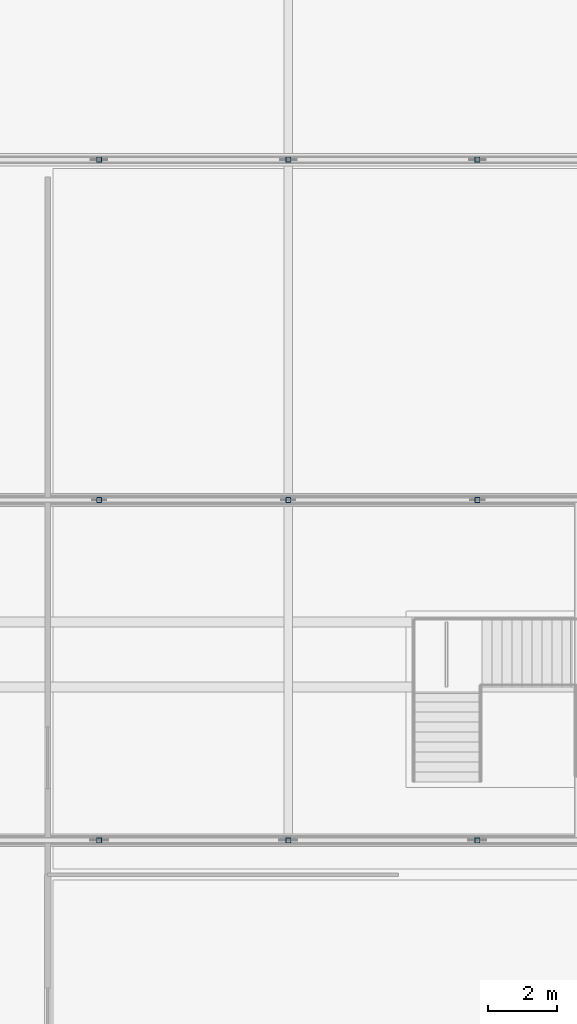
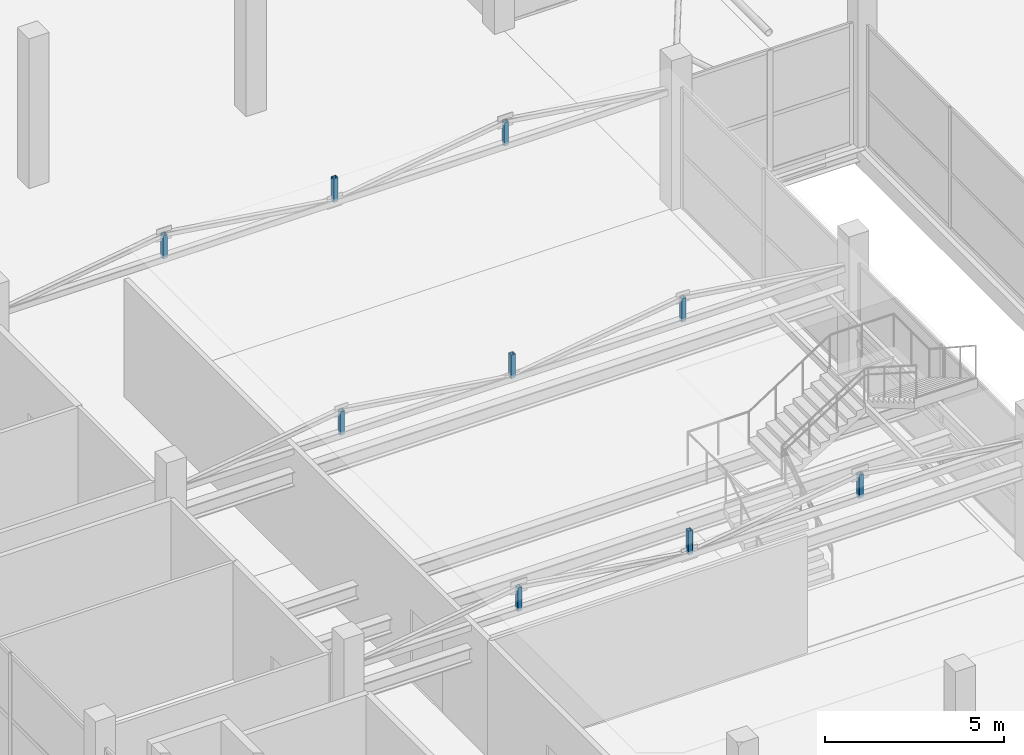
# One storey, part 47 of 66: 9 members.
"""IFC4 building model written with IfcOpenShell, lengths in metres."""

from ifc_helpers import new_model, si_unit, direction, frame, origin, origin_2d, place, context, subcontext, project, spatial, hollow_rectangle, extrude, material, material_profile, profile_set, type_object, element, save


model = new_model("IFC4")

# Units and contexts
model_context = context("Model", 3, precision=1e-05, world=origin(), true_north=direction((0.0, 1.0)))
body_context = subcontext(model_context, "Body", "Model", "MODEL_VIEW")
ifc_project = project(units=[si_unit("LENGTHUNIT", "METRE"), si_unit("AREAUNIT", "SQUARE_METRE"), si_unit("VOLUMEUNIT", "CUBIC_METRE"), si_unit("PLANEANGLEUNIT", "RADIAN"), si_unit("MASSUNIT", "GRAM", prefix="KILO")], contexts=[model_context])

# Site, building, storey
site_placement = place(None, origin())
site = spatial("IfcSite", under=ifc_project, at=site_placement, CompositionType="ELEMENT")
building_placement = place(site_placement, origin())
building = spatial("IfcBuilding", under=site, at=building_placement, Name="Sillaruma Civic Art Gallery", CompositionType="ELEMENT")
storey_placement = place(building_placement, frame((0.0, 0.0, 57.1201171875)))
storey = spatial("IfcBuildingStorey", under=building, at=storey_placement, Name="L11", CompositionType="ELEMENT", Elevation=57.1201171875)

# Members
ifc_material = material(Name="Structural Steel ASTM A500 Gr.C", Category="steel")
ifc_material_profile = material_profile(ifc_material, hollow_rectangle(XDim=0.14990234375, YDim=0.14990234375, WallThickness=0.010009765625, InnerFilletRadius=0.010009765625, OuterFilletRadius=0.02001953125, at=origin_2d()), Name="HSS150x150x10")
ifc_profile_set = profile_set([ifc_material_profile], Name="Structural Steel ASTM A500 Gr.C")
member_type = type_object("IfcMemberType", Name="MEM-POST-HSS150x150x10", PredefinedType="POST", material=ifc_profile_set)
for number, where, z_axis, x_axis, name in (
    (1, (75.5, 49.5, 3.8798828125), (0.0, 0.0, 1.0), (1.0, 0.0, 0.0), "Warren Truss Vertical Post TR-L11-1-V1"),
    (2, (81.0, 49.5, 3.8798828125), (0.0, 0.0, 1.0), (1.0, 0.0, 0.0), "Warren Truss Vertical Post TR-L11-1-V2"),
    (3, (86.5, 49.5, 3.8798828125), (0.0, 0.0, 1.0), (1.0, 0.0, 0.0), "Warren Truss Vertical Post TR-L11-1-V3"),
    (4, (75.5, 59.39990234375, 3.8798828125), (0.0, 0.0, 1.0), (1.0, 0.0, 0.0), "Warren Truss Vertical Post TR-L11-2-V1"),
    (5, (81.0, 59.39990234375, 3.8798828125), (0.0, 0.0, 1.0), (1.0, 0.0, 0.0), "Warren Truss Vertical Post TR-L11-2-V2"),
    (6, (86.5, 59.39990234375, 3.8798828125), (0.0, 0.0, 1.0), (1.0, 0.0, 0.0), "Warren Truss Vertical Post TR-L11-2-V3"),
    (7, (75.5, 69.300048828125, 3.8798828125), (0.0, 0.0, 1.0), (1.0, 0.0, 0.0), "Warren Truss Vertical Post TR-L11-3-V1"),
    (8, (81.0, 69.300048828125, 3.8798828125), (0.0, 0.0, 1.0), (1.0, 0.0, 0.0), "Warren Truss Vertical Post TR-L11-3-V2"),
    (9, (86.5, 69.300048828125, 3.8798828125), (0.0, 0.0, 1.0), (1.0, 0.0, 0.0), "Warren Truss Vertical Post TR-L11-3-V3"),
):
    element("IfcMember", number, at=place(storey_placement, frame(where, z_axis=z_axis, x_axis=x_axis)), inside=storey, type_object=member_type, Name=name, PredefinedType="POST", context=body_context, shape_type="SweptSolid", body=[
        extrude(hollow_rectangle(XDim=0.14990234375, YDim=0.14990234375, WallThickness=0.010009765625, InnerFilletRadius=0.010009765625, OuterFilletRadius=0.02001953125, at=origin_2d()), origin(), (0.0, 0.0, 1.0), 0.80810546875),
    ])

save(model, "model.ifc")
